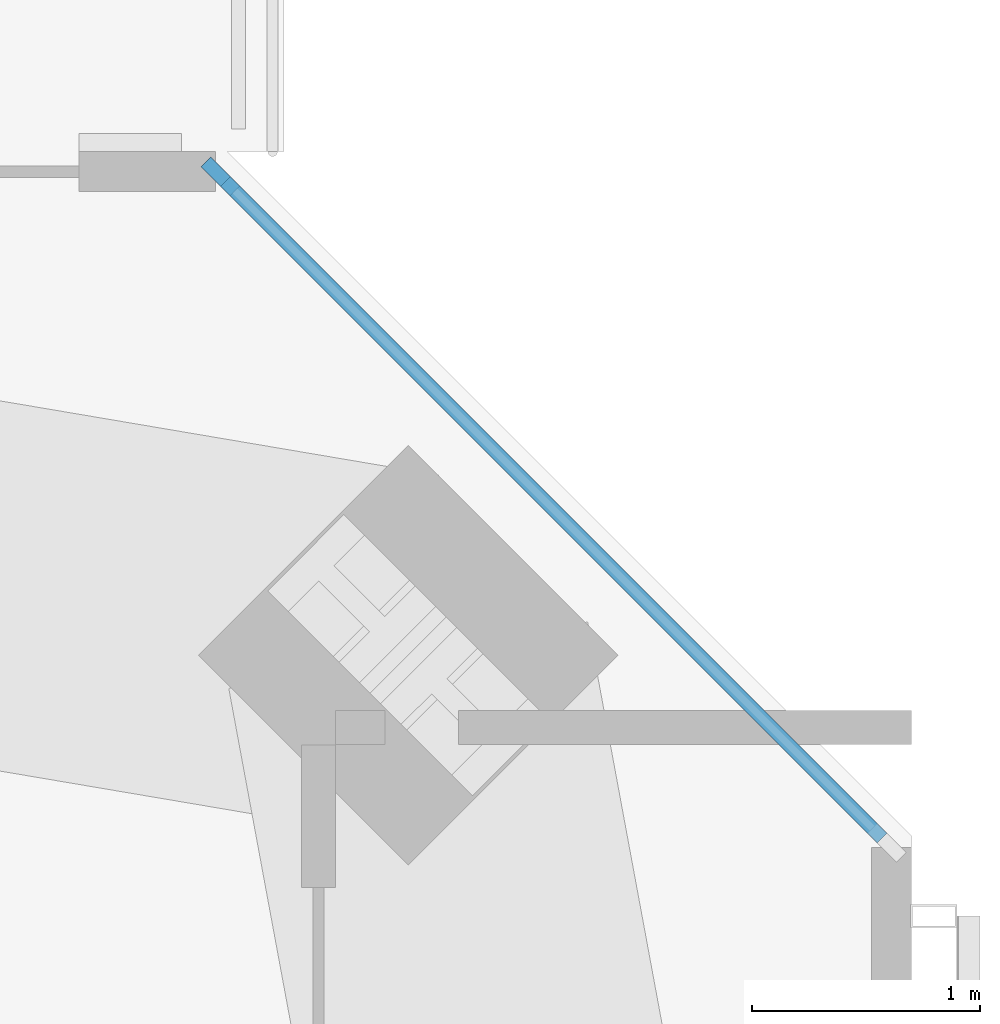
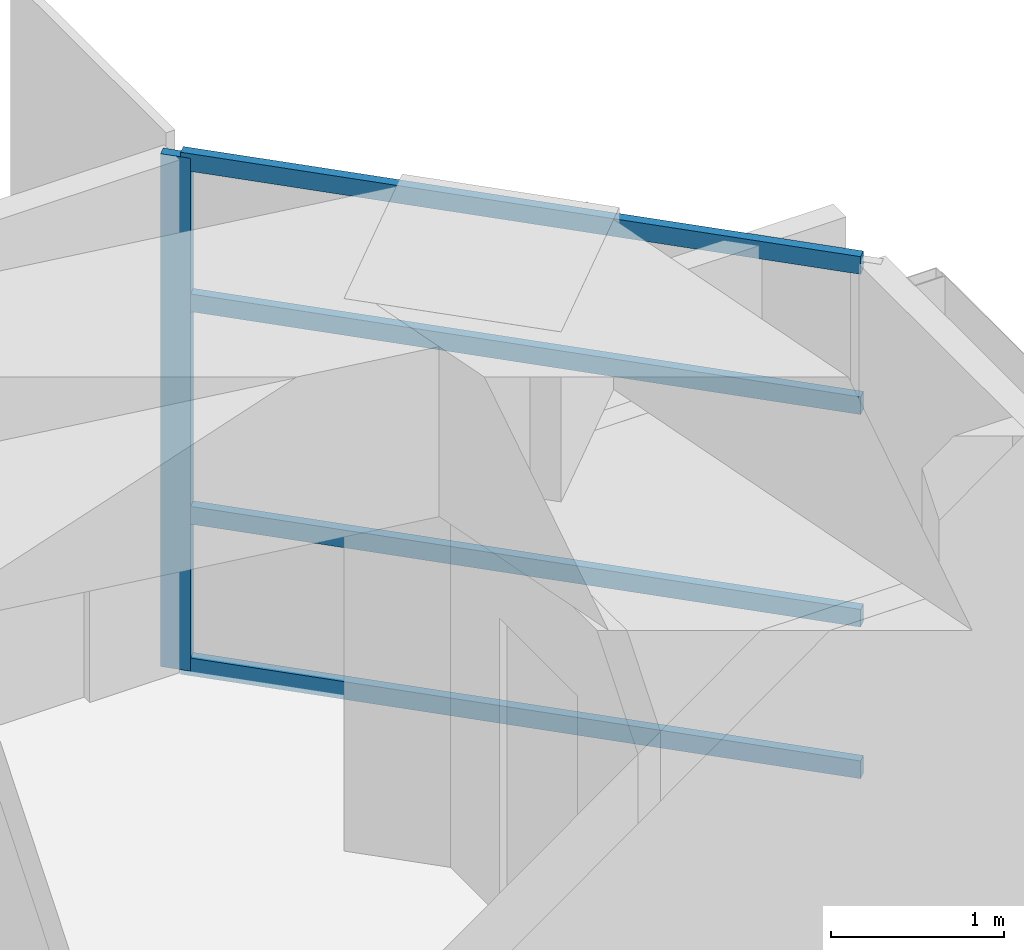
# One storey, part 12 of 20: 5 members, 1 element without a shape of its own.
"""IFC4 building model written with IfcOpenShell, lengths in metres."""

import ifcopenshell
import ifcopenshell.guid

model = None  # the IFC model being written
_history = None  # IfcOwnerHistory: only IFC2X3 demands one
_inside = {}  # id of a spatial element -> (the spatial element, [elements in it])
_under = {}  # id of a project, library or spatial element -> (it, [spatial elements below it])
_declared = {}  # id of a project -> (the project, [libraries it declares])
_typed = {}  # id of a type object -> (the type object, [elements of that type])
_made_of = {}  # id of a material, layer set ... -> (it, [elements and type objects made of it])


def new_model(schema):
    """Start an empty IFC model of exactly this schema.

    Asked for "IFC4X3", IfcOpenShell would pick the latest addendum, in which some entities
    have other attributes; the version numbers below select the first issue.
    IFC2X3 requires an IfcOwnerHistory on every rooted entity: one is made here for all.
    """
    global model, _history
    if schema == "IFC4X3":
        model = ifcopenshell.file(schema_version=(4, 3, 0, 0))
    else:
        model = ifcopenshell.file(schema=schema)
    _inside.clear()
    _under.clear()
    _declared.clear()
    _typed.clear()
    _made_of.clear()
    _history = None
    if model.schema == "IFC2X3":
        org = make("IfcOrganization", Name="unknown")
        user = make(
            "IfcPersonAndOrganization",
            ThePerson=make("IfcPerson", FamilyName="unknown"),
            TheOrganization=org,
        )
        app = make(
            "IfcApplication",
            ApplicationDeveloper=org,
            Version="unknown",
            ApplicationFullName="unknown",
            ApplicationIdentifier="unknown",
        )
        _history = make(
            "IfcOwnerHistory",
            OwningUser=user,
            OwningApplication=app,
            ChangeAction="ADDED",
            CreationDate=0,
        )
    return model


def make(cls, **values):
    """One entity of the class cls with the attributes given. An attribute that is None is left unset."""
    return model.create_entity(
        cls, **{name: value for name, value in values.items() if value is not None}
    )


def rooted(cls, **values):
    """An entity with a GlobalId (a new one), such as an element, a storey or a relation."""
    return make(cls, GlobalId=ifcopenshell.guid.new(), OwnerHistory=_history, **values)


def si_unit(unit_type, name, prefix=None):
    """IfcSIUnit, for example si_unit("LENGTHUNIT", "METRE", prefix="MILLI")."""
    return make("IfcSIUnit", UnitType=unit_type, Prefix=prefix, Name=name)


def assignment(units):
    """IfcUnitAssignment: the units of a project."""
    return None if units is None else make("IfcUnitAssignment", Units=units)


def point(xyz):
    """IfcCartesianPoint."""
    return None if xyz is None else make("IfcCartesianPoint", Coordinates=xyz)


def direction(xyz):
    """IfcDirection."""
    return None if xyz is None else make("IfcDirection", DirectionRatios=xyz)


def frame(location, z_axis=None, x_axis=None):
    """IfcAxis2Placement3D, a coordinate frame: its origin and axes. An axis left out is left unset."""
    return make(
        "IfcAxis2Placement3D",
        Location=point(location),
        Axis=direction(z_axis),
        RefDirection=direction(x_axis),
    )


def frame_2d(location, x_axis=None):
    """IfcAxis2Placement2D, a coordinate frame in the plane: its origin and x axis."""
    return make(
        "IfcAxis2Placement2D", Location=point(location), RefDirection=direction(x_axis)
    )


def origin():
    """The frame at (0, 0, 0) with its axes left unset."""
    return frame((0.0, 0.0, 0.0))


def origin_2d():
    """The frame at (0, 0) in the plane with its x axis left unset."""
    return frame_2d((0.0, 0.0))


def place(relative_to, where):
    """IfcLocalPlacement: puts the frame where relative to a parent placement (None: the world)."""
    return make(
        "IfcLocalPlacement", PlacementRelTo=relative_to, RelativePlacement=where
    )


def context(
    kind, dimensions, precision=None, world=None, true_north=None, identifier=None
):
    """IfcGeometricRepresentationContext, for example the 3D "Model" context."""
    return make(
        "IfcGeometricRepresentationContext",
        ContextIdentifier=identifier,
        ContextType=kind,
        CoordinateSpaceDimension=dimensions,
        Precision=precision,
        WorldCoordinateSystem=world,
        TrueNorth=true_north,
    )


def subcontext(parent, identifier, kind, view, scale=None):
    """IfcGeometricRepresentationSubContext, for example "Body" below "Model"."""
    return make(
        "IfcGeometricRepresentationSubContext",
        ContextIdentifier=identifier,
        ContextType=kind,
        ParentContext=parent,
        TargetScale=scale,
        TargetView=view,
    )


def project(units=None, contexts=None):
    """IfcProject with its units and contexts."""
    return rooted(
        "IfcProject",
        Name="project",
        RepresentationContexts=contexts,
        UnitsInContext=assignment(units),
    )


def spatial(cls, under=None, at=None, **own):
    """A site, building, storey or space (cls), placed at a placement, below another one or the project."""
    s = rooted(cls, ObjectPlacement=at, **own)
    if under is not None:
        _under.setdefault(under.id(), (under, []))[1].append(s)
    return s


def profile(cls, at=None, kind="AREA", **sizes):
    """A parametric profile (cls). Its sizes go by their IFC names, for example OverallWidth=200.0."""
    return make(cls, ProfileType=kind, Position=at, **sizes)


def rectangle(**sizes):
    """IfcRectangleProfileDef."""
    return profile("IfcRectangleProfileDef", **sizes)


def extrude(swept, where, along, depth):
    """IfcExtrudedAreaSolid: the profile swept, set in the frame where, extruded along a direction by depth."""
    return make(
        "IfcExtrudedAreaSolid",
        SweptArea=swept,
        Position=where,
        ExtrudedDirection=direction(along),
        Depth=depth,
    )


def shape(context_of_items, identifier, shape_type, items):
    """IfcShapeRepresentation: the items that make up one representation, for example the "Body"."""
    return make(
        "IfcShapeRepresentation",
        ContextOfItems=context_of_items,
        RepresentationIdentifier=identifier,
        RepresentationType=shape_type,
        Items=items,
    )


def material(Name=None, Category=None):
    """IfcMaterial."""
    return make("IfcMaterial", Name=Name, Category=Category)


def material_profile(
    of_material, cross_section, Name=None, Category=None, Priority=None
):
    """IfcMaterialProfile: a cross section and its material."""
    return make(
        "IfcMaterialProfile",
        Name=Name,
        Material=of_material,
        Profile=cross_section,
        Priority=Priority,
        Category=Category,
    )


def profile_set(profiles, Name=None, composite=None):
    """IfcMaterialProfileSet."""
    return make(
        "IfcMaterialProfileSet",
        Name=Name,
        MaterialProfiles=profiles,
        CompositeProfile=composite,
    )


def made_of(thing, what):
    """Note that an element or type object is made of a material, layer set ...; save() writes the relation."""
    if what is not None:
        _made_of.setdefault(what.id(), (what, []))[1].append(thing)
    return thing


def type_object(cls, material=None, **own):
    """A type object (cls), such as IfcWallType, which elements share."""
    return made_of(rooted(cls, **own), material)


def element(
    cls,
    number,
    at=None,
    inside=None,
    cuts=None,
    type_object=None,
    material=None,
    context=None,
    identifier="Body",
    shape_type=None,
    held_by="IfcProductDefinitionShape",
    body=None,
    shapes=None,
    **own,
):
    """One element of the class cls, such as IfcWall. Its Tag is "e" and its number.

    at: its placement. inside: the storey or other place that contains it. cuts: it is an
    opening in that element (IfcRelVoidsElement). A single representation is given by context,
    identifier, shape_type and body (its items); several are given by shapes. held_by: the class
    of the entity that holds the representations. save() writes the other relations.
    """
    e = rooted(cls, Tag="e%d" % number, ObjectPlacement=at, **own)
    if body is not None:
        shapes = [shape(context, identifier, shape_type, body)]
    if shapes is not None:
        e.Representation = make(held_by, Representations=shapes)
    if inside is not None:
        _inside.setdefault(inside.id(), (inside, []))[1].append(e)
    if cuts is not None:
        rooted(
            "IfcRelVoidsElement", RelatingBuildingElement=cuts, RelatedOpeningElement=e
        )
    if type_object is not None:
        _typed.setdefault(type_object.id(), (type_object, []))[1].append(e)
    return made_of(e, material)


def aggregate(whole, parts):
    """IfcRelAggregates: a whole, such as a stair, and the parts it consists of."""
    return rooted("IfcRelAggregates", RelatingObject=whole, RelatedObjects=parts)


def save(model, path):
    """Write the relations noted so far, then the file.

    IfcRelAggregates (storeys below a building ...), IfcRelContainedInSpatialStructure (elements
    in a storey), IfcRelDefinesByType, IfcRelAssociatesMaterial and IfcRelDeclares: one each for
    every whole, place, type object, material and project.
    """
    for whole, parts in _under.values():
        aggregate(whole, parts)
    for where, things in _inside.values():
        rooted(
            "IfcRelContainedInSpatialStructure",
            RelatedElements=things,
            RelatingStructure=where,
        )
    for kind, things in _typed.values():
        rooted("IfcRelDefinesByType", RelatedObjects=things, RelatingType=kind)
    for what, things in _made_of.values():
        rooted("IfcRelAssociatesMaterial", RelatedObjects=things, RelatingMaterial=what)
    for by, libraries in _declared.values():
        rooted("IfcRelDeclares", RelatingContext=by, RelatedDefinitions=libraries)
    model.write(path)


model = new_model("IFC4")

# Units and contexts
model_context = context("Model", 3, precision=1e-05, world=origin(), true_north=direction((0.0, 1.0)))
body_context = subcontext(model_context, "Body", "Model", "MODEL_VIEW")
ifc_project = project(units=[si_unit("LENGTHUNIT", "METRE"), si_unit("AREAUNIT", "SQUARE_METRE"), si_unit("VOLUMEUNIT", "CUBIC_METRE"), si_unit("PLANEANGLEUNIT", "RADIAN"), si_unit("MASSUNIT", "GRAM", prefix="KILO")], contexts=[model_context])

# Site, building, storey
site_placement = place(None, origin())
site = spatial("IfcSite", under=ifc_project, at=site_placement, CompositionType="ELEMENT")
building_placement = place(site_placement, origin())
building = spatial("IfcBuilding", under=site, at=building_placement, Name="Jalousie Tower", CompositionType="ELEMENT")
storey_placement = place(building_placement, frame((0.0, 0.0, 263.85009765625)))
storey = spatial("IfcBuildingStorey", under=building, at=storey_placement, Name="L72", CompositionType="ELEMENT", Elevation=263.85009765625)

# Curtain wall, members
ifc_material_1 = material(Name="Aluminium curtain wall", Category="aluminium")
curtain_wall_type = type_object("IfcCurtainWallType", Name="PENTHOUSE CORNER WINDOW WALL", PredefinedType="USERDEFINED", material=ifc_material_1)
curtain_wall_placement = place(storey_placement, origin())
curtain_wall = element("IfcCurtainWall", 1, at=curtain_wall_placement, inside=storey, type_object=curtain_wall_type, Name="Penthouse Corner Window Wall L72 4", ObjectType="PENTHOUSE CORNER WINDOW WALL", PredefinedType="USERDEFINED")
ifc_material_2 = material(Name="Aluminium mullion", Category="aluminium")
ifc_material_profile_1 = material_profile(ifc_material_2, rectangle(XDim=0.06005859375, YDim=0.179931640625, at=origin_2d()), Name="MULLION 60x180")
ifc_profile_set_1 = profile_set([ifc_material_profile_1], Name="Aluminium mullion")
member_type_1 = type_object("IfcMemberType", Name="PENTHOUSE CORNER WINDOW WALL MULLION", PredefinedType="MULLION", material=ifc_profile_set_1)
member_1_placement = place(storey_placement, frame((53.469970703125, 33.891357421875, 0.0), z_axis=(0.0, 0.0, 1.0), x_axis=(-0.707106781187, -0.707106781187, 0.0)))
member_1 = element("IfcMember", 2, at=member_1_placement, type_object=member_type_1, Name="CW-H mullion 2", PredefinedType="MULLION", context=body_context, shape_type="SweptSolid", body=[
    extrude(rectangle(XDim=0.06005859375, YDim=0.179931640625, at=origin_2d()), origin(), (0.0, 0.0, 1.0), 3.619873046875),
])
ifc_material_3 = material(Name="Aluminium transom", Category="aluminium")
ifc_material_profile_2 = material_profile(ifc_material_3, rectangle(XDim=0.06005859375, YDim=0.125, at=origin_2d()), Name="TRANSOM 60x125")
ifc_profile_set_2 = profile_set([ifc_material_profile_2], Name="Aluminium transom")
member_type_2 = type_object("IfcMemberType", Name="PENTHOUSE CORNER WINDOW WALL TRANSOM", PredefinedType="USERDEFINED", material=ifc_profile_set_2)
member_2_placement = place(storey_placement, frame((56.3701171875, 30.9912109375, 0.02978515625), z_axis=(-0.707106781187, 0.707106781187, 0.0), x_axis=(-0.707106781187, -0.707106781187, 0.0)))
member_2 = element("IfcMember", 3, at=member_2_placement, type_object=member_type_2, Name="CW-H transom 1.1", ObjectType="TRANSOM", PredefinedType="USERDEFINED", context=body_context, shape_type="SweptSolid", body=[
    extrude(rectangle(XDim=0.06005859375, YDim=0.125, at=origin_2d()), origin(), (0.0, 0.0, 1.0), 4.0712890625),
])
member_3_placement = place(storey_placement, frame((56.3701171875, 30.9912109375, 1.099853515625), z_axis=(-0.707106781187, 0.707106781187, 0.0), x_axis=(-0.707106781187, -0.707106781187, 0.0)))
member_3 = element("IfcMember", 4, at=member_3_placement, type_object=member_type_2, Name="CW-H transom 1.2", ObjectType="TRANSOM", PredefinedType="USERDEFINED", context=body_context, shape_type="SweptSolid", body=[
    extrude(rectangle(XDim=0.06005859375, YDim=0.125, at=origin_2d()), origin(), (0.0, 0.0, 1.0), 4.0712890625),
])
member_4_placement = place(storey_placement, frame((56.3701171875, 30.9912109375, 2.599853515625), z_axis=(-0.707106781187, 0.707106781187, 0.0), x_axis=(-0.707106781187, -0.707106781187, 0.0)))
member_4 = element("IfcMember", 5, at=member_4_placement, type_object=member_type_2, Name="CW-H transom 1.3", ObjectType="TRANSOM", PredefinedType="USERDEFINED", context=body_context, shape_type="SweptSolid", body=[
    extrude(rectangle(XDim=0.06005859375, YDim=0.125, at=origin_2d()), origin(), (0.0, 0.0, 1.0), 4.0712890625),
])
member_5_placement = place(storey_placement, frame((56.3701171875, 30.9912109375, 3.58984375), z_axis=(-0.707106781187, 0.707106781187, 0.0), x_axis=(-0.707106781187, -0.707106781187, 0.0)))
member_5 = element("IfcMember", 6, at=member_5_placement, type_object=member_type_2, Name="CW-H transom 1.4", ObjectType="TRANSOM", PredefinedType="USERDEFINED", context=body_context, shape_type="SweptSolid", body=[
    extrude(rectangle(XDim=0.06005859375, YDim=0.125, at=origin_2d()), origin(), (0.0, 0.0, 1.0), 4.0712890625),
])
aggregate(curtain_wall, [member_1, member_2, member_3, member_4, member_5])

save(model, "model.ifc")
